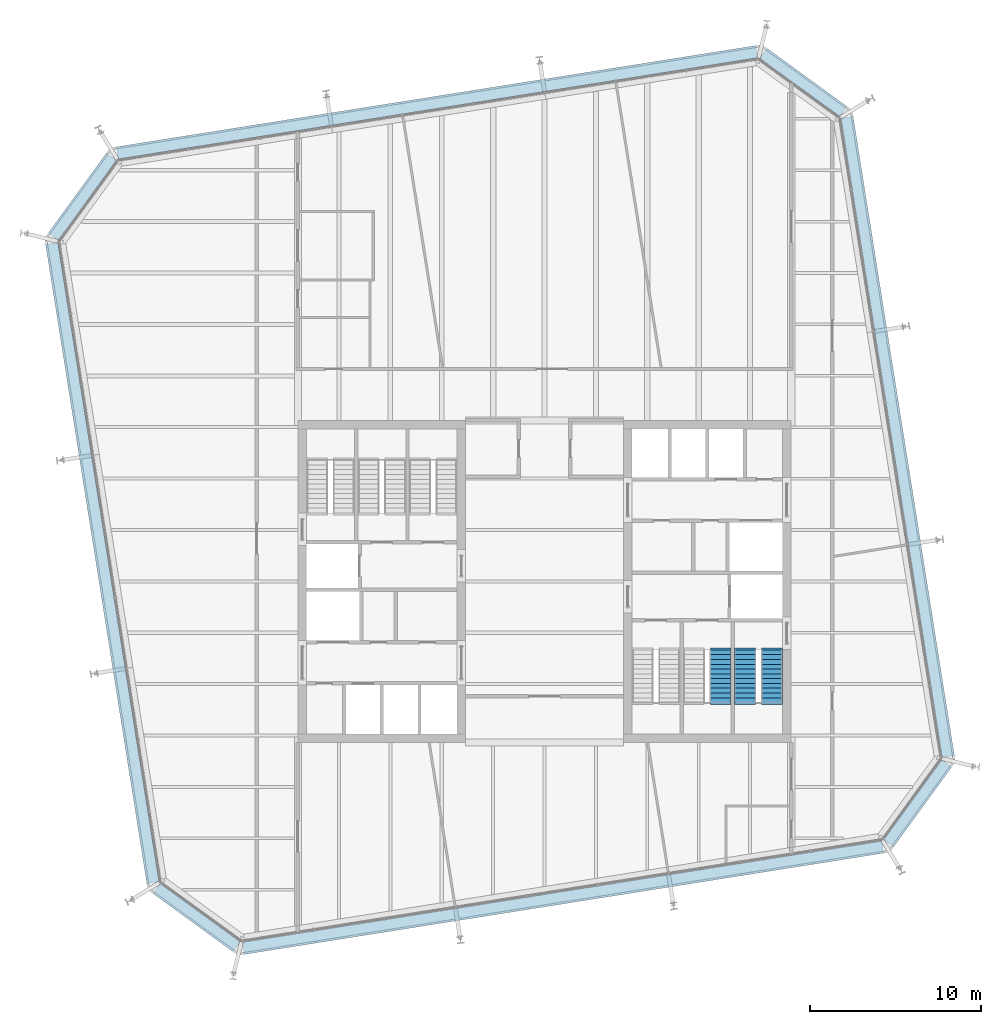
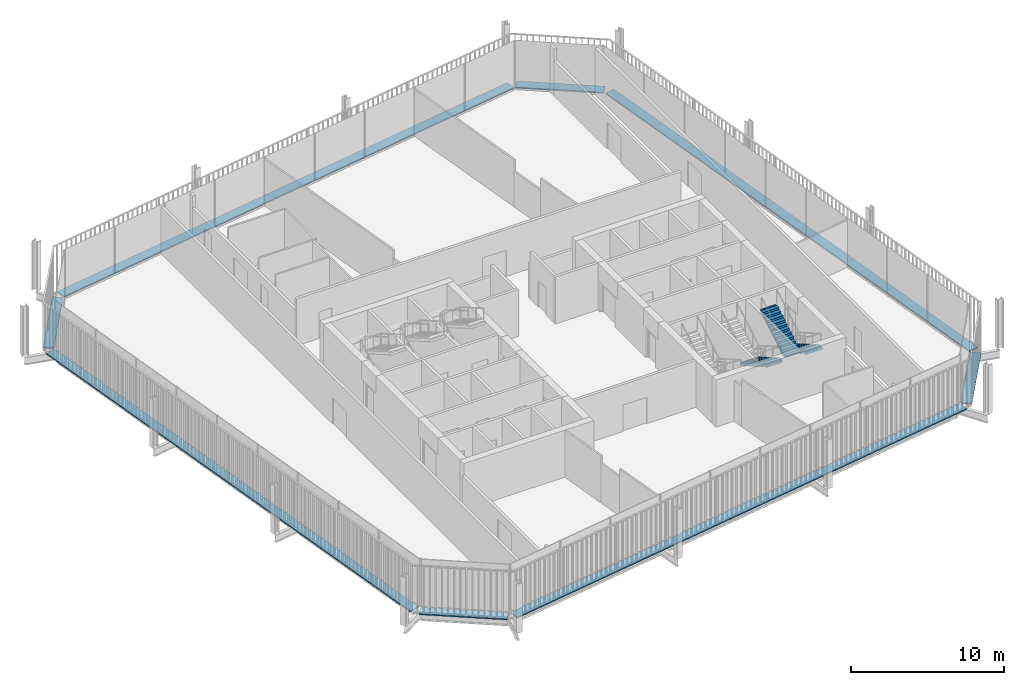
# One storey, part 19 of 20: 8 discrete accessories, 3 stair flights, 2 elements without a shape of their own.
"""IFC4 building model written with IfcOpenShell, lengths in metres."""

from ifc_helpers import new_model, si_unit, direction, frame, origin, origin_2d, place, context, subcontext, project, spatial, polyline, rectangle, outline, extrude, material, type_object, element, aggregate, save


model = new_model("IFC4")

# Units and contexts
model_context = context("Model", 3, precision=1e-05, world=origin(), true_north=direction((0.0, 1.0)))
body_context = subcontext(model_context, "Body", "Model", "MODEL_VIEW")
ifc_project = project(units=[si_unit("LENGTHUNIT", "METRE"), si_unit("AREAUNIT", "SQUARE_METRE"), si_unit("VOLUMEUNIT", "CUBIC_METRE"), si_unit("PLANEANGLEUNIT", "RADIAN"), si_unit("MASSUNIT", "GRAM", prefix="KILO")], contexts=[model_context])

# Site, building, storey
site_placement = place(None, origin())
site = spatial("IfcSite", under=ifc_project, at=site_placement, CompositionType="ELEMENT")
building_placement = place(site_placement, origin())
building = spatial("IfcBuilding", under=site, at=building_placement, Name="Millrace Tower", CompositionType="ELEMENT")
storey_placement = place(building_placement, frame((0.0, 0.0, 232.0)))
storey = spatial("IfcBuildingStorey", under=building, at=storey_placement, Name="L53", CompositionType="ELEMENT", Elevation=232.0)

# Stair, stair flights
ifc_material_1 = material(Name="Concrete C35", Category="concrete")
stair_type = type_object("IfcStairType", Name="Exit stair", PredefinedType="HALF_TURN_STAIR", material=ifc_material_1)
placement = place(storey_placement, origin())
stair_1 = element("IfcStair", 1, at=placement, inside=storey, type_object=stair_type, Name="Stair 1 E L53", PredefinedType="HALF_TURN_STAIR")
ifc_material_2 = material(Name="Concrete C35", Category="concrete")
stair_flight_type = type_object("IfcStairFlightType", Name="Exit stair flight", PredefinedType="STRAIGHT", material=ifc_material_2)
stair_flight_1_placement = place(storey_placement, frame((13.2900390625, -4.0, 0.0), z_axis=(0.0, 0.0, 1.0), x_axis=(0.0, -1.0, 0.0)))
stair_flight_1 = element("IfcStairFlight", 2, at=stair_flight_1_placement, type_object=stair_flight_type, Name="ST12 flight 1", NumberOfRisers=12, NumberOfTreads=11, PredefinedType="STRAIGHT", RiserHeight=0.1625, TreadLength=0.28, context=body_context, shape_type="SweptSolid", body=[
    extrude(outline(polyline([(-0.1201171875, -0.0400390625), (-0.1201171875, 0.0), (0.0, 0.0), (0.0, 0.16259765625), (0.280029296875, 0.16259765625), (0.280029296875, 0.324951171875), (0.56005859375, 0.324951171875), (0.56005859375, 0.487548828125), (0.840087890625, 0.487548828125), (0.840087890625, 0.64990234375), (1.1201171875, 0.64990234375), (1.1201171875, 0.8125), (1.39990234375, 0.8125), (1.39990234375, 0.97509765625), (1.679931640625, 0.97509765625), (1.679931640625, 1.137451171875), (1.9599609375, 1.137451171875), (1.9599609375, 1.300048828125), (2.239990234375, 1.300048828125), (2.239990234375, 1.46240234375), (2.52001953125, 1.46240234375), (2.52001953125, 1.625), (2.800048828125, 1.625), (2.800048828125, 1.78759765625), (3.080078125, 1.78759765625), (3.080078125, 1.8076171875), (3.199951171875, 1.8076171875), (3.199951171875, 1.6142578125), (3.080078125, 1.6142578125), (0.298583984375, 0.0), (0.298583984375, -0.0400390625), (-0.1201171875, -0.0400390625)])), frame((0.0, 0.60986328125, 0.0), z_axis=(0.0, -1.0, 0.0), x_axis=(1.0, 0.0, 0.0)), (0.0, 0.0, 1.0), 1.219970703125),
])
stair_flight_2_placement = place(storey_placement, frame((11.7099609375, -7.080078125, 1.949951171875), z_axis=(0.0, 0.0, 1.0), x_axis=(0.0, 1.0, 0.0)))
stair_flight_2 = element("IfcStairFlight", 3, at=stair_flight_2_placement, type_object=stair_flight_type, Name="ST12 flight 2", NumberOfRisers=12, NumberOfTreads=11, PredefinedType="STRAIGHT", RiserHeight=0.1625, TreadLength=0.28, context=body_context, shape_type="SweptSolid", body=[
    extrude(outline(polyline([(-0.1201171875, -0.0400390625), (-0.1201171875, 0.0), (0.0, 0.0), (0.0, 0.16259765625), (0.280029296875, 0.16259765625), (0.280029296875, 0.324951171875), (0.56005859375, 0.324951171875), (0.56005859375, 0.487548828125), (0.840087890625, 0.487548828125), (0.840087890625, 0.64990234375), (1.1201171875, 0.64990234375), (1.1201171875, 0.8125), (1.39990234375, 0.8125), (1.39990234375, 0.97509765625), (1.679931640625, 0.97509765625), (1.679931640625, 1.137451171875), (1.9599609375, 1.137451171875), (1.9599609375, 1.300048828125), (2.239990234375, 1.300048828125), (2.239990234375, 1.46240234375), (2.52001953125, 1.46240234375), (2.52001953125, 1.625), (2.800048828125, 1.625), (2.800048828125, 1.78759765625), (3.080078125, 1.78759765625), (3.080078125, 1.8076171875), (3.199951171875, 1.8076171875), (3.199951171875, 1.6142578125), (3.080078125, 1.6142578125), (0.298583984375, 0.0), (0.298583984375, -0.0400390625), (-0.1201171875, -0.0400390625)])), frame((0.0, 0.60986328125, 0.0), z_axis=(0.0, -1.0, 0.0), x_axis=(1.0, 0.0, 0.0)), (0.0, 0.0, 1.0), 1.219970703125),
])
aggregate(stair_1, [stair_flight_1, stair_flight_2])

# Stair, stair flight
stair_2 = element("IfcStair", 4, at=placement, inside=storey, type_object=stair_type, Name="Stair 2 E L53", PredefinedType="HALF_TURN_STAIR")
stair_flight_3_placement = place(storey_placement, frame((10.2900390625, -4.0, 0.0), z_axis=(0.0, 0.0, 1.0), x_axis=(0.0, -1.0, 0.0)))
stair_flight_3 = element("IfcStairFlight", 5, at=stair_flight_3_placement, type_object=stair_flight_type, Name="ST12 flight 1", NumberOfRisers=12, NumberOfTreads=11, PredefinedType="STRAIGHT", RiserHeight=0.1625, TreadLength=0.28, context=body_context, shape_type="SweptSolid", body=[
    extrude(outline(polyline([(-0.1201171875, -0.0400390625), (-0.1201171875, 0.0), (0.0, 0.0), (0.0, 0.16259765625), (0.280029296875, 0.16259765625), (0.280029296875, 0.324951171875), (0.56005859375, 0.324951171875), (0.56005859375, 0.487548828125), (0.840087890625, 0.487548828125), (0.840087890625, 0.64990234375), (1.1201171875, 0.64990234375), (1.1201171875, 0.8125), (1.39990234375, 0.8125), (1.39990234375, 0.97509765625), (1.679931640625, 0.97509765625), (1.679931640625, 1.137451171875), (1.9599609375, 1.137451171875), (1.9599609375, 1.300048828125), (2.239990234375, 1.300048828125), (2.239990234375, 1.46240234375), (2.52001953125, 1.46240234375), (2.52001953125, 1.625), (2.800048828125, 1.625), (2.800048828125, 1.78759765625), (3.080078125, 1.78759765625), (3.080078125, 1.8076171875), (3.199951171875, 1.8076171875), (3.199951171875, 1.6142578125), (3.080078125, 1.6142578125), (0.298583984375, 0.0), (0.298583984375, -0.0400390625), (-0.1201171875, -0.0400390625)])), frame((0.0, 0.60986328125, 0.0), z_axis=(0.0, -1.0, 0.0), x_axis=(1.0, 0.0, 0.0)), (0.0, 0.0, 1.0), 1.219970703125),
])
aggregate(stair_2, [stair_flight_3])

# Discrete accessories
ifc_material_3 = material(Name="Stainless steel ASTM A240 type 316", Category="steel")
discrete_accessory_type = type_object("IfcDiscreteAccessoryType", Name="Thermally broken screen support rail", PredefinedType="BRACKET", material=ifc_material_3)
discrete_accessory_1_placement = place(storey_placement, frame((-20.314453125, -19.632080078125, 0.0), z_axis=(0.0, 0.0, 1.0), x_axis=(0.809016955361, -0.587785305991, 0.0)))
element("IfcDiscreteAccessory", 6, at=discrete_accessory_1_placement, inside=storey, type_object=discrete_accessory_type, Name="Thermally broken screen support rail D-F01 L53 1", PredefinedType="BRACKET", context=body_context, shape_type="SweptSolid", body=[
    extrude(rectangle(XDim=5.79833984375, YDim=0.719970703125, at=origin_2d()), origin(), (0.0, 0.0, 1.0), 0.10009765625),
])
discrete_accessory_2_placement = place(storey_placement, frame((1.077880859375, -18.470458984375, 0.0), z_axis=(0.0, 0.0, 1.0), x_axis=(0.987688339511, 0.156434471884, 0.0)))
element("IfcDiscreteAccessory", 7, at=discrete_accessory_2_placement, inside=storey, type_object=discrete_accessory_type, Name="Thermally broken screen support rail D-F02 L53 1", PredefinedType="BRACKET", context=body_context, shape_type="SweptSolid", body=[
    extrude(rectangle(XDim=37.800048828125, YDim=0.719970703125, at=origin_2d()), origin(), (0.0, 0.0, 1.0), 0.10009765625),
])
discrete_accessory_3_placement = place(storey_placement, frame((21.781982421875, -12.964599609375, 0.0), z_axis=(0.0, 0.0, 1.0), x_axis=(0.587785305991, 0.809016955361, 0.0)))
element("IfcDiscreteAccessory", 8, at=discrete_accessory_3_placement, inside=storey, type_object=discrete_accessory_type, Name="Thermally broken screen support rail D-F03 L53 1", PredefinedType="BRACKET", context=body_context, shape_type="SweptSolid", body=[
    extrude(rectangle(XDim=5.79833984375, YDim=0.719970703125, at=origin_2d()), origin(), (0.0, 0.0, 1.0), 0.10009765625),
])
discrete_accessory_4_placement = place(storey_placement, frame((20.62060546875, 8.427734375, 0.0), z_axis=(0.0, 0.0, 1.0), x_axis=(-0.156434471884, 0.987688339511, 0.0)))
element("IfcDiscreteAccessory", 9, at=discrete_accessory_4_placement, inside=storey, type_object=discrete_accessory_type, Name="Thermally broken screen support rail D-F04 L53 1", PredefinedType="BRACKET", context=body_context, shape_type="SweptSolid", body=[
    extrude(rectangle(XDim=37.800048828125, YDim=0.719970703125, at=origin_2d()), origin(), (0.0, 0.0, 1.0), 0.10009765625),
])
discrete_accessory_5_placement = place(storey_placement, frame((15.114501953125, 29.132080078125, 0.0), z_axis=(0.0, 0.0, 1.0), x_axis=(-0.809016955361, 0.587785305991, 0.0)))
element("IfcDiscreteAccessory", 10, at=discrete_accessory_5_placement, inside=storey, type_object=discrete_accessory_type, Name="Thermally broken screen support rail D-F05 L53 1", PredefinedType="BRACKET", context=body_context, shape_type="SweptSolid", body=[
    extrude(rectangle(XDim=5.79833984375, YDim=0.719970703125, at=origin_2d()), origin(), (0.0, 0.0, 1.0), 0.10009765625),
])
discrete_accessory_6_placement = place(storey_placement, frame((-6.27783203125, 27.970458984375, 0.0), z_axis=(0.0, 0.0, 1.0), x_axis=(-0.987688339511, -0.156434471884, 0.0)))
element("IfcDiscreteAccessory", 11, at=discrete_accessory_6_placement, inside=storey, type_object=discrete_accessory_type, Name="Thermally broken screen support rail D-F06 L53 1", PredefinedType="BRACKET", context=body_context, shape_type="SweptSolid", body=[
    extrude(rectangle(XDim=37.800048828125, YDim=0.719970703125, at=origin_2d()), origin(), (0.0, 0.0, 1.0), 0.10009765625),
])
discrete_accessory_7_placement = place(storey_placement, frame((-26.98193359375, 22.464599609375, 0.0), z_axis=(0.0, 0.0, 1.0), x_axis=(-0.587785305991, -0.809016955361, 0.0)))
element("IfcDiscreteAccessory", 12, at=discrete_accessory_7_placement, inside=storey, type_object=discrete_accessory_type, Name="Thermally broken screen support rail D-F07 L53 1", PredefinedType="BRACKET", context=body_context, shape_type="SweptSolid", body=[
    extrude(rectangle(XDim=5.79833984375, YDim=0.719970703125, at=origin_2d()), origin(), (0.0, 0.0, 1.0), 0.10009765625),
])
discrete_accessory_8_placement = place(storey_placement, frame((-25.820556640625, 1.072265625, 0.0), z_axis=(0.0, 0.0, 1.0), x_axis=(0.156434471884, -0.987688339511, 0.0)))
element("IfcDiscreteAccessory", 13, at=discrete_accessory_8_placement, inside=storey, type_object=discrete_accessory_type, Name="Thermally broken screen support rail D-F08 L53 1", PredefinedType="BRACKET", context=body_context, shape_type="SweptSolid", body=[
    extrude(rectangle(XDim=37.800048828125, YDim=0.719970703125, at=origin_2d()), origin(), (0.0, 0.0, 1.0), 0.10009765625),
])

save(model, "model.ifc")
